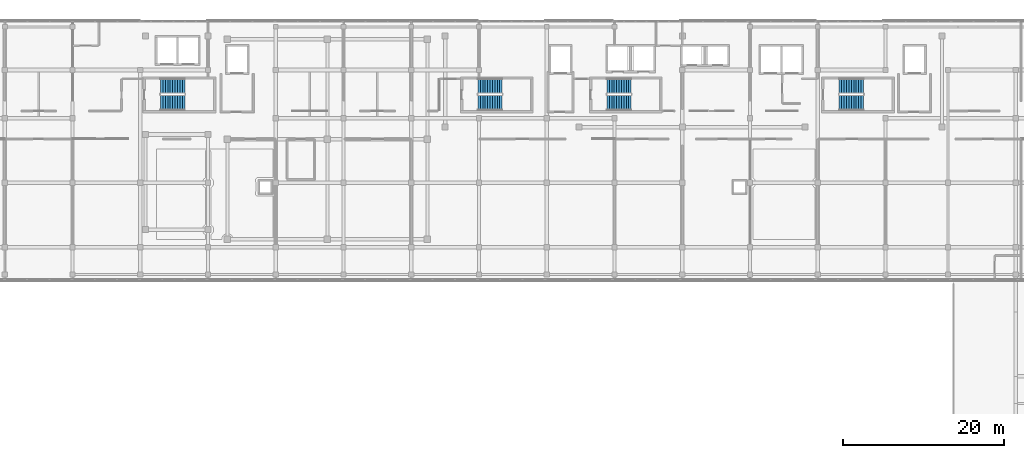
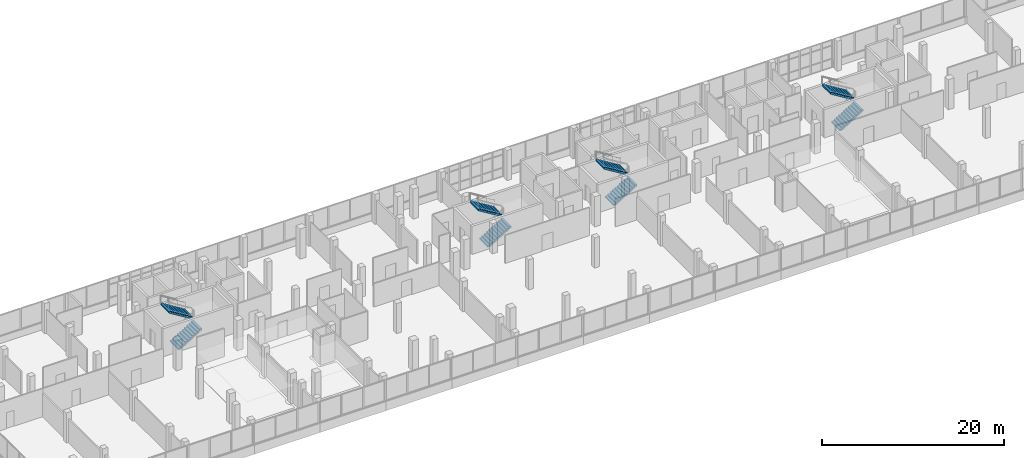
# One storey, part 71 of 76: 8 stair flights, 4 elements without a shape of their own.
"""IFC4 building model written with IfcOpenShell, lengths in metres."""

from ifc_helpers import new_model, si_unit, direction, frame, origin, place, context, subcontext, project, spatial, polyline, outline, extrude, material, layer, layer_set, type_object, element, aggregate, save


model = new_model("IFC4")

# Units and contexts
model_context = context("Model", 3, precision=1e-05, world=origin(), true_north=direction((0.0, 1.0)))
body_context = subcontext(model_context, "Body", "Model", "MODEL_VIEW")
ifc_project = project(units=[si_unit("LENGTHUNIT", "METRE"), si_unit("AREAUNIT", "SQUARE_METRE"), si_unit("VOLUMEUNIT", "CUBIC_METRE"), si_unit("PLANEANGLEUNIT", "RADIAN"), si_unit("MASSUNIT", "GRAM", prefix="KILO")], contexts=[model_context])

# Site, building, storey
site_placement = place(None, origin())
site = spatial("IfcSite", under=ifc_project, at=site_placement, CompositionType="ELEMENT")
building_placement = place(site_placement, origin())
building = spatial("IfcBuilding", under=site, at=building_placement, Name="Selatvlak General Hospital", CompositionType="ELEMENT")
storey_placement = place(building_placement, frame((0.0, 0.0, 27.300048828125)))
storey = spatial("IfcBuildingStorey", under=building, at=storey_placement, Name="L06", CompositionType="ELEMENT", Elevation=27.300048828125)

# Stair, stair flights
ifc_material = material(Name="Precast concrete C40/50", Category="concrete")
stair_type_1 = type_object("IfcStairType", Name="STAIR-ST-01", PredefinedType="HALF_TURN_STAIR", material=ifc_material)
stair_1_placement = place(storey_placement, origin())
stair_1 = element("IfcStair", 1, at=stair_1_placement, inside=storey, type_object=stair_type_1, Name="L06 Protected exit stair ST-01", PredefinedType="HALF_TURN_STAIR")
ifc_layer_1 = layer(ifc_material, 0.179931640625, Name="Precast concrete C40/50", Category="concrete")
ifc_layer_set_1 = layer_set([ifc_layer_1], Name="Precast concrete C40/50")
stair_flight_type_1 = type_object("IfcStairFlightType", Name="FLIGHT-ST-01", PredefinedType="STRAIGHT", material=ifc_layer_set_1)
stair_flight_1_placement = place(storey_placement, frame((50.510009765625, 109.929931640625, 0.0), z_axis=(0.0, 0.0, 1.0), x_axis=(1.0, 0.0, 0.0)))
stair_flight_1 = element("IfcStairFlight", 2, at=stair_flight_1_placement, type_object=stair_flight_type_1, Name="ST-01 flight 1", NumberOfRisers=11, NumberOfTreads=10, PredefinedType="STRAIGHT", RiserHeight=0.184090909, TreadLength=0.3, context=body_context, shape_type="SweptSolid", body=[
    extrude(outline(polyline([(0.0, 0.0), (0.0, 0.18408203125), (0.300048828125, 0.18408203125), (0.300048828125, 0.3681640625), (0.60009765625, 0.3681640625), (0.60009765625, 0.55224609375), (0.89990234375, 0.55224609375), (0.89990234375, 0.736328125), (1.199951171875, 0.736328125), (1.199951171875, 0.92041015625), (1.5, 0.92041015625), (1.5, 1.1044921875), (1.800048828125, 1.1044921875), (1.800048828125, 1.28857421875), (2.10009765625, 1.28857421875), (2.10009765625, 1.47265625), (2.39990234375, 1.47265625), (2.39990234375, 1.65673828125), (2.699951171875, 1.65673828125), (2.699951171875, 1.8408203125), (3.0, 1.8408203125), (3.0, 2.02490234375), (3.0, 1.6298828125), (0.343994140625, 0.0), (0.0, 0.0)])), frame((0.0, 0.93017578125, 0.0), z_axis=(0.0, -1.0, 0.0), x_axis=(1.0, 0.0, 0.0)), (0.0, 0.0, 1.0), 1.860107421875),
])
stair_flight_2_placement = place(storey_placement, frame((53.510009765625, 112.010009765625, 2.02490234375), z_axis=(0.0, 0.0, 1.0), x_axis=(-1.0, 0.0, 0.0)))
stair_flight_2 = element("IfcStairFlight", 3, at=stair_flight_2_placement, type_object=stair_flight_type_1, Name="ST-01 flight 2", NumberOfRisers=11, NumberOfTreads=10, PredefinedType="STRAIGHT", RiserHeight=0.184090909, TreadLength=0.3, context=body_context, shape_type="SweptSolid", body=[
    extrude(outline(polyline([(0.0, 0.0), (0.0, 0.18408203125), (0.300048828125, 0.18408203125), (0.300048828125, 0.3681640625), (0.60009765625, 0.3681640625), (0.60009765625, 0.55224609375), (0.89990234375, 0.55224609375), (0.89990234375, 0.736328125), (1.199951171875, 0.736328125), (1.199951171875, 0.92041015625), (1.5, 0.92041015625), (1.5, 1.1044921875), (1.800048828125, 1.1044921875), (1.800048828125, 1.28857421875), (2.10009765625, 1.28857421875), (2.10009765625, 1.47265625), (2.39990234375, 1.47265625), (2.39990234375, 1.65673828125), (2.699951171875, 1.65673828125), (2.699951171875, 1.8408203125), (3.0, 1.8408203125), (3.0, 2.02490234375), (3.0, 1.6298828125), (0.343994140625, 0.0), (0.0, 0.0)])), frame((0.0, 0.93017578125, 0.0), z_axis=(0.0, -1.0, 0.0), x_axis=(1.0, 0.0, 0.0)), (0.0, 0.0, 1.0), 1.860107421875),
])
aggregate(stair_1, [stair_flight_1, stair_flight_2])

stair_type_2 = type_object("IfcStairType", Name="STAIR-ST-02", PredefinedType="HALF_TURN_STAIR", material=ifc_material)
stair_2_placement = place(storey_placement, origin())
stair_2 = element("IfcStair", 4, at=stair_2_placement, inside=storey, type_object=stair_type_2, Name="L06 Protected exit stair ST-02", PredefinedType="HALF_TURN_STAIR")
ifc_layer_2 = layer(ifc_material, 0.179931640625, Name="Precast concrete C40/50", Category="concrete")
ifc_layer_set_2 = layer_set([ifc_layer_2], Name="Precast concrete C40/50")
stair_flight_type_2 = type_object("IfcStairFlightType", Name="FLIGHT-ST-02", PredefinedType="STRAIGHT", material=ifc_layer_set_2)
stair_flight_3_placement = place(storey_placement, frame((89.860107421875, 109.929931640625, 0.0), z_axis=(0.0, 0.0, 1.0), x_axis=(1.0, 0.0, 0.0)))
stair_flight_3 = element("IfcStairFlight", 5, at=stair_flight_3_placement, type_object=stair_flight_type_2, Name="ST-02 flight 1", NumberOfRisers=11, NumberOfTreads=10, PredefinedType="STRAIGHT", RiserHeight=0.184090909, TreadLength=0.3, context=body_context, shape_type="SweptSolid", body=[
    extrude(outline(polyline([(0.0, 0.0), (0.0, 0.18408203125), (0.300048828125, 0.18408203125), (0.300048828125, 0.3681640625), (0.60009765625, 0.3681640625), (0.60009765625, 0.55224609375), (0.89990234375, 0.55224609375), (0.89990234375, 0.736328125), (1.199951171875, 0.736328125), (1.199951171875, 0.92041015625), (1.5, 0.92041015625), (1.5, 1.1044921875), (1.800048828125, 1.1044921875), (1.800048828125, 1.28857421875), (2.10009765625, 1.28857421875), (2.10009765625, 1.47265625), (2.39990234375, 1.47265625), (2.39990234375, 1.65673828125), (2.699951171875, 1.65673828125), (2.699951171875, 1.8408203125), (3.0, 1.8408203125), (3.0, 2.02490234375), (3.0, 1.6298828125), (0.343994140625, 0.0), (0.0, 0.0)])), frame((0.0, 0.93017578125, 0.0), z_axis=(0.0, -1.0, 0.0), x_axis=(1.0, 0.0, 0.0)), (0.0, 0.0, 1.0), 1.860107421875),
])
stair_flight_4_placement = place(storey_placement, frame((92.860107421875, 112.010009765625, 2.02490234375), z_axis=(0.0, 0.0, 1.0), x_axis=(-1.0, 0.0, 0.0)))
stair_flight_4 = element("IfcStairFlight", 6, at=stair_flight_4_placement, type_object=stair_flight_type_2, Name="ST-02 flight 2", NumberOfRisers=11, NumberOfTreads=10, PredefinedType="STRAIGHT", RiserHeight=0.184090909, TreadLength=0.3, context=body_context, shape_type="SweptSolid", body=[
    extrude(outline(polyline([(0.0, 0.0), (0.0, 0.18408203125), (0.300048828125, 0.18408203125), (0.300048828125, 0.3681640625), (0.60009765625, 0.3681640625), (0.60009765625, 0.55224609375), (0.89990234375, 0.55224609375), (0.89990234375, 0.736328125), (1.199951171875, 0.736328125), (1.199951171875, 0.92041015625), (1.5, 0.92041015625), (1.5, 1.1044921875), (1.800048828125, 1.1044921875), (1.800048828125, 1.28857421875), (2.10009765625, 1.28857421875), (2.10009765625, 1.47265625), (2.39990234375, 1.47265625), (2.39990234375, 1.65673828125), (2.699951171875, 1.65673828125), (2.699951171875, 1.8408203125), (3.0, 1.8408203125), (3.0, 2.02490234375), (3.0, 1.6298828125), (0.343994140625, 0.0), (0.0, 0.0)])), frame((0.0, 0.93017578125, 0.0), z_axis=(0.0, -1.0, 0.0), x_axis=(1.0, 0.0, 0.0)), (0.0, 0.0, 1.0), 1.860107421875),
])
aggregate(stair_2, [stair_flight_3, stair_flight_4])

stair_type_3 = type_object("IfcStairType", Name="STAIR-ST-03", PredefinedType="HALF_TURN_STAIR", material=ifc_material)
stair_3_placement = place(storey_placement, origin())
stair_3 = element("IfcStair", 7, at=stair_3_placement, inside=storey, type_object=stair_type_3, Name="L06 Protected exit stair ST-03", PredefinedType="HALF_TURN_STAIR")
ifc_layer_3 = layer(ifc_material, 0.179931640625, Name="Precast concrete C40/50", Category="concrete")
ifc_layer_set_3 = layer_set([ifc_layer_3], Name="Precast concrete C40/50")
stair_flight_type_3 = type_object("IfcStairFlightType", Name="FLIGHT-ST-03", PredefinedType="STRAIGHT", material=ifc_layer_set_3)
stair_flight_5_placement = place(storey_placement, frame((105.860107421875, 109.929931640625, 0.0), z_axis=(0.0, 0.0, 1.0), x_axis=(1.0, 0.0, 0.0)))
stair_flight_5 = element("IfcStairFlight", 8, at=stair_flight_5_placement, type_object=stair_flight_type_3, Name="ST-03 flight 1", NumberOfRisers=11, NumberOfTreads=10, PredefinedType="STRAIGHT", RiserHeight=0.184090909, TreadLength=0.3, context=body_context, shape_type="SweptSolid", body=[
    extrude(outline(polyline([(0.0, 0.0), (0.0, 0.18408203125), (0.300048828125, 0.18408203125), (0.300048828125, 0.3681640625), (0.60009765625, 0.3681640625), (0.60009765625, 0.55224609375), (0.89990234375, 0.55224609375), (0.89990234375, 0.736328125), (1.199951171875, 0.736328125), (1.199951171875, 0.92041015625), (1.5, 0.92041015625), (1.5, 1.1044921875), (1.800048828125, 1.1044921875), (1.800048828125, 1.28857421875), (2.10009765625, 1.28857421875), (2.10009765625, 1.47265625), (2.39990234375, 1.47265625), (2.39990234375, 1.65673828125), (2.699951171875, 1.65673828125), (2.699951171875, 1.8408203125), (3.0, 1.8408203125), (3.0, 2.02490234375), (3.0, 1.6298828125), (0.343994140625, 0.0), (0.0, 0.0)])), frame((0.0, 0.93017578125, 0.0), z_axis=(0.0, -1.0, 0.0), x_axis=(1.0, 0.0, 0.0)), (0.0, 0.0, 1.0), 1.860107421875),
])
stair_flight_6_placement = place(storey_placement, frame((108.860107421875, 112.010009765625, 2.02490234375), z_axis=(0.0, 0.0, 1.0), x_axis=(-1.0, 0.0, 0.0)))
stair_flight_6 = element("IfcStairFlight", 9, at=stair_flight_6_placement, type_object=stair_flight_type_3, Name="ST-03 flight 2", NumberOfRisers=11, NumberOfTreads=10, PredefinedType="STRAIGHT", RiserHeight=0.184090909, TreadLength=0.3, context=body_context, shape_type="SweptSolid", body=[
    extrude(outline(polyline([(0.0, 0.0), (0.0, 0.18408203125), (0.300048828125, 0.18408203125), (0.300048828125, 0.3681640625), (0.60009765625, 0.3681640625), (0.60009765625, 0.55224609375), (0.89990234375, 0.55224609375), (0.89990234375, 0.736328125), (1.199951171875, 0.736328125), (1.199951171875, 0.92041015625), (1.5, 0.92041015625), (1.5, 1.1044921875), (1.800048828125, 1.1044921875), (1.800048828125, 1.28857421875), (2.10009765625, 1.28857421875), (2.10009765625, 1.47265625), (2.39990234375, 1.47265625), (2.39990234375, 1.65673828125), (2.699951171875, 1.65673828125), (2.699951171875, 1.8408203125), (3.0, 1.8408203125), (3.0, 2.02490234375), (3.0, 1.6298828125), (0.343994140625, 0.0), (0.0, 0.0)])), frame((0.0, 0.93017578125, 0.0), z_axis=(0.0, -1.0, 0.0), x_axis=(1.0, 0.0, 0.0)), (0.0, 0.0, 1.0), 1.860107421875),
])
aggregate(stair_3, [stair_flight_5, stair_flight_6])

stair_type_4 = type_object("IfcStairType", Name="STAIR-ST-04", PredefinedType="HALF_TURN_STAIR", material=ifc_material)
stair_4_placement = place(storey_placement, origin())
stair_4 = element("IfcStair", 10, at=stair_4_placement, inside=storey, type_object=stair_type_4, Name="L06 Protected exit stair ST-04", PredefinedType="HALF_TURN_STAIR")
ifc_layer_4 = layer(ifc_material, 0.179931640625, Name="Precast concrete C40/50", Category="concrete")
ifc_layer_set_4 = layer_set([ifc_layer_4], Name="Precast concrete C40/50")
stair_flight_type_4 = type_object("IfcStairFlightType", Name="FLIGHT-ST-04", PredefinedType="STRAIGHT", material=ifc_layer_set_4)
stair_flight_7_placement = place(storey_placement, frame((134.659912109375, 109.929931640625, 0.0), z_axis=(0.0, 0.0, 1.0), x_axis=(1.0, 0.0, 0.0)))
stair_flight_7 = element("IfcStairFlight", 11, at=stair_flight_7_placement, type_object=stair_flight_type_4, Name="ST-04 flight 1", NumberOfRisers=11, NumberOfTreads=10, PredefinedType="STRAIGHT", RiserHeight=0.184090909, TreadLength=0.3, context=body_context, shape_type="SweptSolid", body=[
    extrude(outline(polyline([(0.0, 0.0), (0.0, 0.18408203125), (0.300048828125, 0.18408203125), (0.300048828125, 0.3681640625), (0.60009765625, 0.3681640625), (0.60009765625, 0.55224609375), (0.89990234375, 0.55224609375), (0.89990234375, 0.736328125), (1.199951171875, 0.736328125), (1.199951171875, 0.92041015625), (1.5, 0.92041015625), (1.5, 1.1044921875), (1.800048828125, 1.1044921875), (1.800048828125, 1.28857421875), (2.10009765625, 1.28857421875), (2.10009765625, 1.47265625), (2.39990234375, 1.47265625), (2.39990234375, 1.65673828125), (2.699951171875, 1.65673828125), (2.699951171875, 1.8408203125), (3.0, 1.8408203125), (3.0, 2.02490234375), (3.0, 1.6298828125), (0.343994140625, 0.0), (0.0, 0.0)])), frame((0.0, 0.93017578125, 0.0), z_axis=(0.0, -1.0, 0.0), x_axis=(1.0, 0.0, 0.0)), (0.0, 0.0, 1.0), 1.860107421875),
])
stair_flight_8_placement = place(storey_placement, frame((137.659912109375, 112.010009765625, 2.02490234375), z_axis=(0.0, 0.0, 1.0), x_axis=(-1.0, 0.0, 0.0)))
stair_flight_8 = element("IfcStairFlight", 12, at=stair_flight_8_placement, type_object=stair_flight_type_4, Name="ST-04 flight 2", NumberOfRisers=11, NumberOfTreads=10, PredefinedType="STRAIGHT", RiserHeight=0.184090909, TreadLength=0.3, context=body_context, shape_type="SweptSolid", body=[
    extrude(outline(polyline([(0.0, 0.0), (0.0, 0.18408203125), (0.300048828125, 0.18408203125), (0.300048828125, 0.3681640625), (0.60009765625, 0.3681640625), (0.60009765625, 0.55224609375), (0.89990234375, 0.55224609375), (0.89990234375, 0.736328125), (1.199951171875, 0.736328125), (1.199951171875, 0.92041015625), (1.5, 0.92041015625), (1.5, 1.1044921875), (1.800048828125, 1.1044921875), (1.800048828125, 1.28857421875), (2.10009765625, 1.28857421875), (2.10009765625, 1.47265625), (2.39990234375, 1.47265625), (2.39990234375, 1.65673828125), (2.699951171875, 1.65673828125), (2.699951171875, 1.8408203125), (3.0, 1.8408203125), (3.0, 2.02490234375), (3.0, 1.6298828125), (0.343994140625, 0.0), (0.0, 0.0)])), frame((0.0, 0.93017578125, 0.0), z_axis=(0.0, -1.0, 0.0), x_axis=(1.0, 0.0, 0.0)), (0.0, 0.0, 1.0), 1.860107421875),
])
aggregate(stair_4, [stair_flight_7, stair_flight_8])

save(model, "model.ifc")
